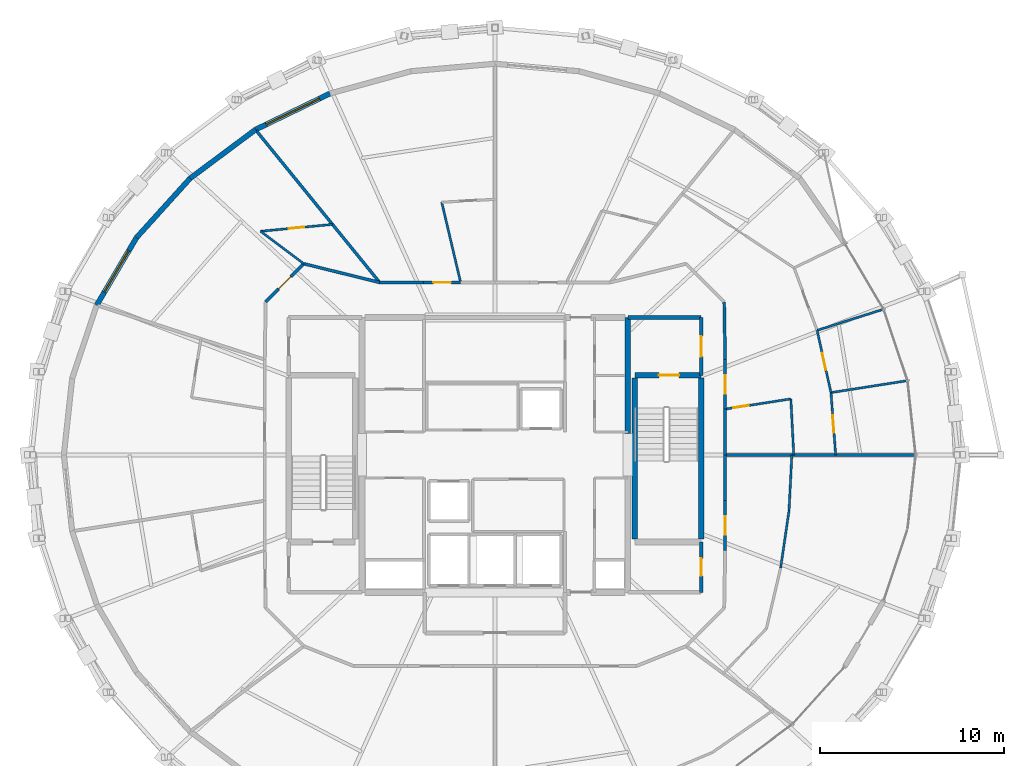
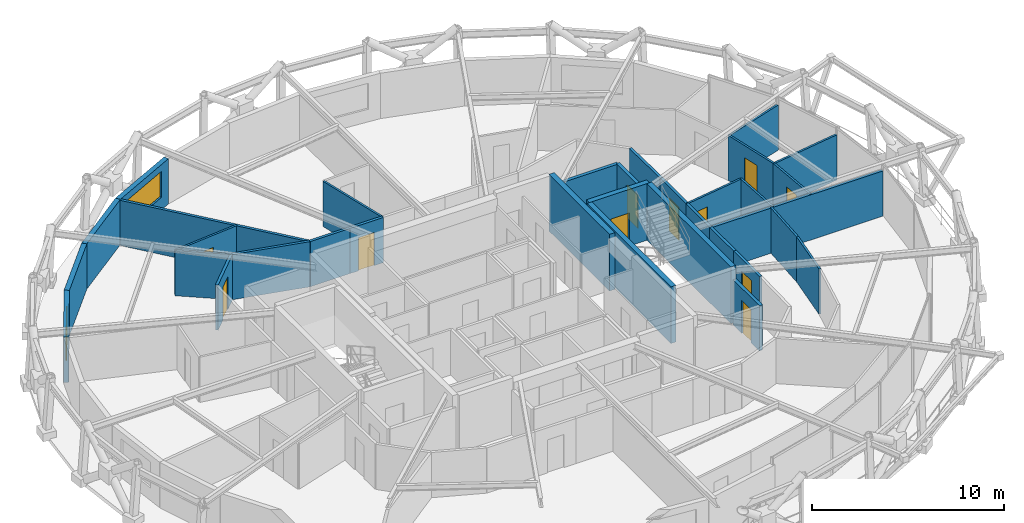
# One storey, part 16 of 18: 33 walls, 11 doors, 2 windows, 13 openings.
"""IFC4 building model written with IfcOpenShell, lengths in metres."""

from ifc_helpers import new_model, si_unit, direction, frame, frame_2d, origin, place, context, subcontext, project, spatial, rectangle, extrude, material, layer, layer_set, type_object, element, fill, save


model = new_model("IFC4")

# Units and contexts
model_context = context("Model", 3, precision=1e-05, world=origin(), true_north=direction((0.0, 1.0)))
body_context = subcontext(model_context, "Body", "Model", "MODEL_VIEW")
ifc_project = project(units=[si_unit("LENGTHUNIT", "METRE"), si_unit("AREAUNIT", "SQUARE_METRE"), si_unit("VOLUMEUNIT", "CUBIC_METRE"), si_unit("PLANEANGLEUNIT", "RADIAN"), si_unit("MASSUNIT", "GRAM", prefix="KILO")], contexts=[model_context])

# Site, building, storey
site_placement = place(None, origin())
site = spatial("IfcSite", under=ifc_project, at=site_placement, CompositionType="ELEMENT")
building_placement = place(site_placement, origin())
building = spatial("IfcBuilding", under=site, at=building_placement, Name="Veldorina Hangang Commons", CompositionType="ELEMENT")
storey_placement = place(building_placement, frame((0.0, 0.0, 218.39990234375)))
storey = spatial("IfcBuildingStorey", under=building, at=storey_placement, Name="L56", CompositionType="ELEMENT", Elevation=218.39990234375)

# Wall
ifc_material_1 = material(Name="Concrete C50/60", Category="concrete")
ifc_layer_1 = layer(ifc_material_1, 0.320068359375)
ifc_layer_set_1 = layer_set([ifc_layer_1], Name="Concrete C50/60")
wall_type_1 = type_object("IfcWallType", Name="CW-RC320-C50", PredefinedType="SHEAR", material=ifc_layer_set_1)
wall_1_placement = place(storey_placement, frame((39.199951171875, 25.14990234375, 0.0), z_axis=(0.0, 0.0, 1.0), x_axis=(0.0, 1.0, 0.0)))
element("IfcWall", 1, at=wall_1_placement, inside=storey, type_object=wall_type_1, Name="L56 E north core shear wall", PredefinedType="SHEAR", context=body_context, shape_type="SweptSolid", body=[
    extrude(rectangle(XDim=6.300048828125, YDim=0.320068359375, at=frame_2d((3.14990234375, 0.0))), origin(), (0.0, 0.0, 1.0), 3.60009765625),
])

# Wall, opening, window
ifc_material_2 = material(Name="Stone Roman Travertine", Category="masonry")
ifc_layer_2 = layer(ifc_material_2, 0.280029296875)
ifc_layer_set_2 = layer_set([ifc_layer_2], Name="Stone Roman Travertine")
wall_type_2 = type_object("IfcWallType", Name="EW-TRAV-280", PredefinedType="STANDARD", material=ifc_layer_set_2)
wall_2_placement = place(storey_placement, frame((23.05712890625, 43.59228515625, 0.0), z_axis=(0.0, 0.0, 1.0), x_axis=(-0.899755886265, -0.436393566785, 0.0)))
wall_2 = element("IfcWall", 2, at=wall_2_placement, inside=storey, type_object=wall_type_2, Name="L56 travertine facade wall 10", PredefinedType="STANDARD", context=body_context, shape_type="SweptSolid", body=[
    extrude(rectangle(XDim=4.490234375, YDim=0.280029296875, at=frame_2d((2.2451171875, 0.0))), origin(), (0.0, 0.0, 1.0), 2.880126953125),
])
opening_1_placement = place(wall_2_placement, frame((0.645263671875, 0.0, 0.800048828125)))
opening_1 = element("IfcOpeningElement", 3, at=opening_1_placement, cuts=wall_2, Name="Opening W-01", PredefinedType="OPENING", context=body_context, shape_type="SweptSolid", body=[
    extrude(rectangle(XDim=3.199951171875, YDim=1.64990234375, at=frame_2d((1.60009765625, 0.824951171875))), frame((0.0, 0.14990234375, 0.0), z_axis=(0.0, -1.0, 0.0), x_axis=(1.0, 0.0, 0.0)), (0.0, 0.0, 1.0), 0.300048828125),
])
ifc_material_3 = material(Name="Glass Low-E Triple IGU", Category="glass")
window_type_1 = type_object("IfcWindowType", Name="WIN-TWR-3200", PartitioningType="SINGLE_PANEL", PredefinedType="WINDOW", material=ifc_material_3)
window_1_placement = place(opening_1_placement, origin())
window_1 = element("IfcWindow", 4, at=window_1_placement, inside=storey, type_object=window_type_1, Name="L56 facade window 10", OverallHeight=1.64990234375, OverallWidth=3.199951171875, PartitioningType="SINGLE_PANEL", PredefinedType="WINDOW", context=body_context, shape_type="SweptSolid", body=[
    extrude(rectangle(XDim=3.199951171875, YDim=1.64990234375, at=frame_2d((1.60009765625, 0.824951171875))), frame((0.0, 0.030029296875, 0.0), z_axis=(0.0, -1.0, 0.0), x_axis=(1.0, 0.0, 0.0)), (0.0, 0.0, 1.0), 0.06005859375),
])
fill(opening_1, window_1)

# Walls
wall_3_placement = place(storey_placement, frame((19.01708984375, 41.6328125, 0.0), z_axis=(0.0, 0.0, 1.0), x_axis=(-0.802005914902, -0.597316090912, 0.0)))
element("IfcWall", 5, at=wall_3_placement, inside=storey, type_object=wall_type_2, Name="L56 travertine facade wall 11", PredefinedType="STANDARD", context=body_context, shape_type="SweptSolid", body=[
    extrude(rectangle(XDim=4.41552734375, YDim=0.280029296875, at=frame_2d((2.207763671875, 0.0))), origin(), (0.0, 0.0, 1.0), 2.880126953125),
])
wall_4_placement = place(storey_placement, frame((15.475830078125, 38.995361328125, 0.0), z_axis=(0.0, 0.0, 1.0), x_axis=(-0.670746586543, -0.741686602711, 0.0)))
element("IfcWall", 6, at=wall_4_placement, inside=storey, type_object=wall_type_2, Name="L56 travertine facade wall 12", PredefinedType="STANDARD", context=body_context, shape_type="SweptSolid", body=[
    extrude(rectangle(XDim=4.332763671875, YDim=0.280029296875, at=frame_2d((2.16650390625, 0.0))), origin(), (0.0, 0.0, 1.0), 2.880126953125),
])

# Wall, opening, window
wall_5_placement = place(storey_placement, frame((12.569580078125, 35.78173828125, 0.0), z_axis=(0.0, 0.0, 1.0), x_axis=(-0.50750901232, -0.861646448617, 0.0)))
wall_5 = element("IfcWall", 7, at=wall_5_placement, inside=storey, type_object=wall_type_2, Name="L56 travertine facade wall 13", PredefinedType="STANDARD", context=body_context, shape_type="SweptSolid", body=[
    extrude(rectangle(XDim=4.2548828125, YDim=0.280029296875, at=frame_2d((2.12744140625, 0.0))), origin(), (0.0, 0.0, 1.0), 2.880126953125),
])
opening_2_placement = place(wall_5_placement, frame((0.827392578125, 0.0, 0.800048828125)))
opening_2 = element("IfcOpeningElement", 8, at=opening_2_placement, cuts=wall_5, Name="Opening W-02", PredefinedType="OPENING", context=body_context, shape_type="SweptSolid", body=[
    extrude(rectangle(XDim=2.60009765625, YDim=1.64990234375, at=frame_2d((1.300048828125, 0.824951171875))), frame((0.0, 0.14990234375, 0.0), z_axis=(0.0, -1.0, 0.0), x_axis=(1.0, 0.0, 0.0)), (0.0, 0.0, 1.0), 0.300048828125),
])
window_type_2 = type_object("IfcWindowType", Name="WIN-TWR-2600", PartitioningType="SINGLE_PANEL", PredefinedType="WINDOW", material=ifc_material_3)
window_2_placement = place(opening_2_placement, origin())
window_2 = element("IfcWindow", 9, at=window_2_placement, inside=storey, type_object=window_type_2, Name="L56 facade window 13", OverallHeight=1.64990234375, OverallWidth=2.60009765625, PartitioningType="SINGLE_PANEL", PredefinedType="WINDOW", context=body_context, shape_type="SweptSolid", body=[
    extrude(rectangle(XDim=2.60009765625, YDim=1.64990234375, at=frame_2d((1.300048828125, 0.824951171875))), frame((0.0, 0.030029296875, 0.0), z_axis=(0.0, -1.0, 0.0), x_axis=(1.0, 0.0, 0.0)), (0.0, 0.0, 1.0), 0.06005859375),
])
fill(opening_2, window_2)

# Walls
ifc_layer_3 = layer(ifc_material_1, 0.300048828125)
ifc_layer_set_3 = layer_set([ifc_layer_3], Name="Concrete C50/60")
wall_type_3 = type_object("IfcWallType", Name="SW-STAIR-300", PredefinedType="SHEAR", material=ifc_layer_set_3)
for number, where, z_axis, x_axis, name in (
    (10, (43.179931640625, 19.429931640625, 0.0), (0.0, 0.0, 1.0), (0.0, 1.0, 0.0), "L56 ST2 outer stair shear wall"),
    (11, (39.580078125, 19.429931640625, 0.0), (0.0, 0.0, 1.0), (0.0, 1.0, 0.0), "L56 ST2 inner stair shear wall"),
):
    element("IfcWall", number, at=place(storey_placement, frame(where, z_axis=z_axis, x_axis=x_axis)), inside=storey, type_object=wall_type_3, Name=name, PredefinedType="SHEAR", context=body_context, shape_type="SweptSolid", body=[
        extrude(rectangle(XDim=8.739990234375, YDim=0.300048828125, at=frame_2d((4.3701171875, 0.0))), origin(), (0.0, 0.0, 1.0), 3.60009765625),
    ])

# Wall, opening, door
wall_6_placement = place(storey_placement, frame((39.580078125, 28.320068359375, 0.0), z_axis=(0.0, 0.0, 1.0), x_axis=(1.0, 0.0, 0.0)))
wall_6 = element("IfcWall", 12, at=wall_6_placement, inside=storey, type_object=wall_type_3, Name="L56 ST2 north stair shear wall", PredefinedType="SHEAR", context=body_context, shape_type="SweptSolid", body=[
    extrude(rectangle(XDim=3.599853515625, YDim=0.300048828125, at=frame_2d((1.7998046875, 0.0))), origin(), (0.0, 0.0, 1.0), 3.60009765625),
])
opening_3_placement = place(wall_6_placement, frame((1.300048828125, 0.0, 0.0)))
opening_3 = element("IfcOpeningElement", 13, at=opening_3_placement, cuts=wall_6, Name="Opening D-08", PredefinedType="OPENING", context=body_context, shape_type="SweptSolid", body=[
    extrude(rectangle(XDim=1.10009765625, YDim=2.10009765625, at=frame_2d((0.550048828125, 1.050048828125))), frame((0.0, 0.16015625, 0.0), z_axis=(0.0, -1.0, 0.0), x_axis=(1.0, 0.0, 0.0)), (0.0, 0.0, 1.0), 0.320068359375),
])
ifc_material_4 = material(Name="Steel Fire-Rated Smoke Seal", Category="steel")
door_type_1 = type_object("IfcDoorType", Name="DR-FIRE-1100", OperationType="SINGLE_SWING_RIGHT", PredefinedType="DOOR", material=ifc_material_4)
door_1_placement = place(opening_3_placement, origin())
door_1 = element("IfcDoor", 14, at=door_1_placement, inside=storey, type_object=door_type_1, Name="L56 Special Escape Stair ST-2 door", OperationType="SINGLE_SWING_RIGHT", OverallHeight=2.10009765625, OverallWidth=1.10009765625, PredefinedType="DOOR", context=body_context, shape_type="SweptSolid", body=[
    extrude(rectangle(XDim=1.10009765625, YDim=2.10009765625, at=frame_2d((0.550048828125, 1.050048828125))), frame((0.0, 0.02490234375, 0.0), z_axis=(0.0, -1.0, 0.0), x_axis=(1.0, 0.0, 0.0)), (0.0, 0.0, 1.0), 0.050048828125),
])
fill(opening_3, door_1)

# Wall
ifc_material_5 = material(Name="Gypsum Fire-Rated Twin Stud Wall", Category="gypsum")
ifc_layer_4 = layer(ifc_material_5, 0.159912109375)
ifc_layer_set_4 = layer_set([ifc_layer_4], Name="Gypsum Fire-Rated Twin Stud Wall")
wall_type_4 = type_object("IfcWallType", Name="WL-FIRE-160", PredefinedType="SOLIDWALL", material=ifc_layer_set_4)
wall_7_placement = place(storey_placement, frame((44.47998046875, 24.0, 0.0), z_axis=(0.0, 0.0, 1.0), x_axis=(0.0, 1.0, 0.0)))
element("IfcWall", 15, at=wall_7_placement, inside=storey, type_object=wall_type_4, Name="L56 Compact collar outer wall 00 052", PredefinedType="SOLIDWALL", context=body_context, shape_type="SweptSolid", body=[
    extrude(rectangle(XDim=2.482421875, YDim=0.159912109375, at=frame_2d((1.2412109375, 0.0))), origin(), (0.0, 0.0, 1.0), 2.8701171875),
])

# Wall, opening, door
wall_8_placement = place(storey_placement, frame((44.47998046875, 26.482421875, 0.0), z_axis=(0.0, 0.0, 1.0), x_axis=(0.0, 1.0, 0.0)))
wall_8 = element("IfcWall", 16, at=wall_8_placement, inside=storey, type_object=wall_type_4, Name="L56 Compact collar outer wall 01 053", PredefinedType="SOLIDWALL", context=body_context, shape_type="SweptSolid", body=[
    extrude(rectangle(XDim=2.68701171875, YDim=0.159912109375, at=frame_2d((1.343505859375, 0.0))), origin(), (0.0, 0.0, 1.0), 2.8701171875),
])
opening_4_placement = place(wall_8_placement, frame((0.843505859375, 0.0, 0.0)))
opening_4 = element("IfcOpeningElement", 17, at=opening_4_placement, cuts=wall_8, Name="Opening D-06", PredefinedType="OPENING", context=body_context, shape_type="SweptSolid", body=[
    extrude(rectangle(XDim=1.0, YDim=2.10009765625, at=frame_2d((0.5, 1.050048828125))), frame((0.0, 0.08984375, 0.0), z_axis=(0.0, -1.0, 0.0), x_axis=(1.0, 0.0, 0.0)), (0.0, 0.0, 1.0), 0.179931640625),
])
ifc_material_6 = material(Name="Timber Fire-Rated Entrance Core", Category="wood")
door_type_2 = type_object("IfcDoorType", Name="DR-UNIT-1000", OperationType="SINGLE_SWING_LEFT", PredefinedType="DOOR", material=ifc_material_6)
door_2_placement = place(opening_4_placement, origin())
door_2 = element("IfcDoor", 18, at=door_2_placement, inside=storey, type_object=door_type_2, Name="L56 Cluster 2 entrance door 023", OperationType="SINGLE_SWING_LEFT", OverallHeight=2.10009765625, OverallWidth=1.0, PredefinedType="DOOR", context=body_context, shape_type="SweptSolid", body=[
    extrude(rectangle(XDim=1.0, YDim=2.10009765625, at=frame_2d((0.5, 1.050048828125))), frame((0.0, 0.02490234375, 0.0), z_axis=(0.0, -1.0, 0.0), x_axis=(1.0, 0.0, 0.0)), (0.0, 0.0, 1.0), 0.050048828125),
])
fill(opening_4, door_2)

# Wall
wall_9_placement = place(storey_placement, frame((44.47998046875, 29.16943359375, 0.0), z_axis=(0.0, 0.0, 1.0), x_axis=(-0.016981035134, 0.999855811828, 0.0)))
element("IfcWall", 19, at=wall_9_placement, inside=storey, type_object=wall_type_4, Name="L56 Compact collar outer wall 02 054", PredefinedType="SOLIDWALL", context=body_context, shape_type="SweptSolid", body=[
    extrude(rectangle(XDim=3.13427734375, YDim=0.159912109375, at=frame_2d((1.567138671875, 0.0))), origin(), (0.0, 0.0, 1.0), 2.8701171875),
])

# Wall, opening, door
wall_10_placement = place(storey_placement, frame((30.14013671875, 33.35009765625, 0.0), z_axis=(0.0, 0.0, 1.0), x_axis=(-1.0, 0.0, 0.0)))
wall_10 = element("IfcWall", 20, at=wall_10_placement, inside=storey, type_object=wall_type_4, Name="L56 Compact collar outer wall 09 061", PredefinedType="SOLIDWALL", context=body_context, shape_type="SweptSolid", body=[
    extrude(rectangle(XDim=2.012939453125, YDim=0.159912109375, at=frame_2d((1.00634765625, 0.0))), origin(), (0.0, 0.0, 1.0), 2.8701171875),
])
opening_5_placement = place(wall_10_placement, frame((0.531494140625, 0.0, 0.0)))
opening_5 = element("IfcOpeningElement", 21, at=opening_5_placement, cuts=wall_10, Name="Opening D-03", PredefinedType="OPENING", context=body_context, shape_type="SweptSolid", body=[
    extrude(rectangle(XDim=0.949951171875, YDim=2.10009765625, at=frame_2d((0.47509765625, 1.050048828125))), frame((0.0, 0.08984375, 0.0), z_axis=(0.0, -1.0, 0.0), x_axis=(1.0, 0.0, 0.0)), (0.0, 0.0, 1.0), 0.179931640625),
])
door_type_3 = type_object("IfcDoorType", Name="DR-UNIT-950", OperationType="SINGLE_SWING_RIGHT", PredefinedType="DOOR", material=ifc_material_6)
door_3_placement = place(opening_5_placement, origin())
door_3 = element("IfcDoor", 22, at=door_3_placement, inside=storey, type_object=door_type_3, Name="L56 Studio 4 entrance door 031", OperationType="SINGLE_SWING_LEFT", OverallHeight=2.10009765625, OverallWidth=0.949951171875, PredefinedType="DOOR", context=body_context, shape_type="SweptSolid", body=[
    extrude(rectangle(XDim=0.949951171875, YDim=2.10009765625, at=frame_2d((0.47509765625, 1.050048828125))), frame((0.0, 0.02490234375, 0.0), z_axis=(0.0, -1.0, 0.0), x_axis=(1.0, 0.0, 0.0)), (0.0, 0.0, 1.0), 0.050048828125),
])
fill(opening_5, door_3)

# Walls
wall_11_placement = place(storey_placement, frame((28.127197265625, 33.35009765625, 0.0), z_axis=(0.0, 0.0, 1.0), x_axis=(-1.0, 0.0, 0.0)))
element("IfcWall", 23, at=wall_11_placement, inside=storey, type_object=wall_type_4, Name="L56 Compact collar outer wall 10 062", PredefinedType="SOLIDWALL", context=body_context, shape_type="SweptSolid", body=[
    extrude(rectangle(XDim=2.374755859375, YDim=0.159912109375, at=frame_2d((1.1875, 0.0))), origin(), (0.0, 0.0, 1.0), 2.8701171875),
])
wall_12_placement = place(storey_placement, frame((25.75244140625, 33.35009765625, 0.0), z_axis=(0.0, 0.0, 1.0), x_axis=(-0.970939799552, 0.239323850978, 0.0)))
element("IfcWall", 24, at=wall_12_placement, inside=storey, type_object=wall_type_4, Name="L56 Compact collar outer wall 11 063", PredefinedType="SOLIDWALL", context=body_context, shape_type="SweptSolid", body=[
    extrude(rectangle(XDim=4.24072265625, YDim=0.159912109375, at=frame_2d((2.120361328125, 0.0))), origin(), (0.0, 0.0, 1.0), 2.8701171875),
])

# Wall, opening, door
wall_13_placement = place(storey_placement, frame((21.635009765625, 34.364990234375, 0.0), z_axis=(0.0, 0.0, 1.0), x_axis=(-0.707106781187, -0.707106781187, 0.0)))
wall_13 = element("IfcWall", 25, at=wall_13_placement, inside=storey, type_object=wall_type_4, Name="L56 Compact collar outer wall 12 064", PredefinedType="SOLIDWALL", context=body_context, shape_type="SweptSolid", body=[
    extrude(rectangle(XDim=2.915771484375, YDim=0.159912109375, at=frame_2d((1.4580078125, 0.0))), origin(), (0.0, 0.0, 1.0), 2.8701171875),
])
opening_6_placement = place(wall_13_placement, frame((0.98291015625, 0.0, 0.0)))
opening_6 = element("IfcOpeningElement", 26, at=opening_6_placement, cuts=wall_13, Name="Opening D-03", PredefinedType="OPENING", context=body_context, shape_type="SweptSolid", body=[
    extrude(rectangle(XDim=0.949951171875, YDim=2.10009765625, at=frame_2d((0.47509765625, 1.050048828125))), frame((0.0, 0.08984375, 0.0), z_axis=(0.0, -1.0, 0.0), x_axis=(1.0, 0.0, 0.0)), (0.0, 0.0, 1.0), 0.179931640625),
])
door_4_placement = place(opening_6_placement, origin())
door_4 = element("IfcDoor", 27, at=door_4_placement, inside=storey, type_object=door_type_3, Name="L56 Studio 5 entrance door 033", OperationType="SINGLE_SWING_LEFT", OverallHeight=2.10009765625, OverallWidth=0.949951171875, PredefinedType="DOOR", context=body_context, shape_type="SweptSolid", body=[
    extrude(rectangle(XDim=0.949951171875, YDim=2.10009765625, at=frame_2d((0.47509765625, 1.050048828125))), frame((0.0, 0.02490234375, 0.0), z_axis=(0.0, -1.0, 0.0), x_axis=(1.0, 0.0, 0.0)), (0.0, 0.0, 1.0), 0.050048828125),
])
fill(opening_6, door_4)

wall_14_placement = place(storey_placement, frame((44.47998046875, 18.83056640625, 0.0), z_axis=(0.0, 0.0, 1.0), x_axis=(0.0, 1.0, 0.0)))
wall_14 = element("IfcWall", 28, at=wall_14_placement, inside=storey, type_object=wall_type_4, Name="L56 Compact collar outer wall 30 082", PredefinedType="SOLIDWALL", context=body_context, shape_type="SweptSolid", body=[
    extrude(rectangle(XDim=2.68701171875, YDim=0.159912109375, at=frame_2d((1.343505859375, 0.0))), origin(), (0.0, 0.0, 1.0), 2.8701171875),
])
opening_7_placement = place(wall_14_placement, frame((0.843505859375, 0.0, 0.0)))
opening_7 = element("IfcOpeningElement", 29, at=opening_7_placement, cuts=wall_14, Name="Opening D-05", PredefinedType="OPENING", context=body_context, shape_type="SweptSolid", body=[
    extrude(rectangle(XDim=1.0, YDim=2.10009765625, at=frame_2d((0.5, 1.050048828125))), frame((0.0, 0.08984375, 0.0), z_axis=(0.0, -1.0, 0.0), x_axis=(1.0, 0.0, 0.0)), (0.0, 0.0, 1.0), 0.179931640625),
])
ifc_material_7 = material(Name="Timber Solid Core Acoustic", Category="wood")
door_type_4 = type_object("IfcDoorType", Name="DR-INT-1000", OperationType="SINGLE_SWING_RIGHT", PredefinedType="DOOR", material=ifc_material_7)
door_5_placement = place(opening_7_placement, origin())
door_5 = element("IfcDoor", 30, at=door_5_placement, inside=storey, type_object=door_type_4, Name="L56 Commons alcove door 020", OperationType="SINGLE_SWING_RIGHT", OverallHeight=2.10009765625, OverallWidth=1.0, PredefinedType="DOOR", context=body_context, shape_type="SweptSolid", body=[
    extrude(rectangle(XDim=1.0, YDim=2.10009765625, at=frame_2d((0.5, 1.050048828125))), frame((0.0, 0.02490234375, 0.0), z_axis=(0.0, -1.0, 0.0), x_axis=(1.0, 0.0, 0.0)), (0.0, 0.0, 1.0), 0.050048828125),
])
fill(opening_7, door_5)

# Walls
wall_15_placement = place(storey_placement, frame((44.47998046875, 21.517578125, 0.0), z_axis=(0.0, 0.0, 1.0), x_axis=(0.0, 1.0, 0.0)))
element("IfcWall", 31, at=wall_15_placement, inside=storey, type_object=wall_type_4, Name="L56 Compact collar outer wall 31 083", PredefinedType="SOLIDWALL", context=body_context, shape_type="SweptSolid", body=[
    extrude(rectangle(XDim=2.482421875, YDim=0.159912109375, at=frame_2d((1.2412109375, 0.0))), origin(), (0.0, 0.0, 1.0), 2.8701171875),
])
wall_16_placement = place(storey_placement, frame((44.47998046875, 24.0, 0.0), z_axis=(0.0, 0.0, 1.0), x_axis=(1.0, 0.0, 0.0)))
element("IfcWall", 32, at=wall_16_placement, inside=storey, type_object=wall_type_4, Name="L56 Unit party wall 00 089", PredefinedType="SOLIDWALL", context=body_context, shape_type="SweptSolid", body=[
    extrude(rectangle(XDim=10.27880859375, YDim=0.159912109375, at=frame_2d((5.139404296875, 0.0))), origin(), (0.0, 0.0, 1.0), 2.8701171875),
])
wall_17_placement = place(storey_placement, frame((25.75244140625, 33.35009765625, 0.0), z_axis=(0.0, 0.0, 1.0), x_axis=(-0.630915216518, 0.775851783246, 0.0)))
element("IfcWall", 33, at=wall_17_placement, inside=storey, type_object=wall_type_4, Name="L56 Unit party wall 11 105", PredefinedType="SOLIDWALL", context=body_context, shape_type="SweptSolid", body=[
    extrude(rectangle(XDim=10.62548828125, YDim=0.159912109375, at=frame_2d((5.312744140625, 0.0))), origin(), (0.0, 0.0, 1.0), 2.8701171875),
])

# Wall, opening, door
ifc_material_8 = material(Name="Concrete Blockwork Fire Wall C30/37", Category="masonry")
ifc_layer_5 = layer(ifc_material_8, 0.199951171875)
ifc_layer_set_5 = layer_set([ifc_layer_5], Name="Concrete Blockwork Fire Wall C30/37")
wall_type_5 = type_object("IfcWallType", Name="WL-FIRE-200", PredefinedType="SOLIDWALL", material=ifc_layer_set_5)
wall_18_placement = place(storey_placement, frame((43.179931640625, 28.320068359375, 0.0), z_axis=(0.0, 0.0, 1.0), x_axis=(0.0, 1.0, 0.0)))
wall_18 = element("IfcWall", 34, at=wall_18_placement, inside=storey, type_object=wall_type_5, Name="L56 East vestibule outer wall 003", PredefinedType="SOLIDWALL", context=body_context, shape_type="SweptSolid", body=[
    extrude(rectangle(XDim=3.1298828125, YDim=0.199951171875, at=frame_2d((1.56494140625, 0.0))), origin(), (0.0, 0.0, 1.0), 2.8701171875),
])
opening_8_placement = place(wall_18_placement, frame((1.014892578125, 0.0, 0.0)))
opening_8 = element("IfcOpeningElement", 35, at=opening_8_placement, cuts=wall_18, Name="Opening D-08", PredefinedType="OPENING", context=body_context, shape_type="SweptSolid", body=[
    extrude(rectangle(XDim=1.10009765625, YDim=2.10009765625, at=frame_2d((0.550048828125, 1.050048828125))), frame((0.0, 0.10986328125, 0.0), z_axis=(0.0, -1.0, 0.0), x_axis=(1.0, 0.0, 0.0)), (0.0, 0.0, 1.0), 0.219970703125),
])
door_6_placement = place(opening_8_placement, origin())
door_6 = element("IfcDoor", 36, at=door_6_placement, inside=storey, type_object=door_type_1, Name="L56 East vestibule east door 002", OperationType="SINGLE_SWING_RIGHT", OverallHeight=2.10009765625, OverallWidth=1.10009765625, PredefinedType="DOOR", context=body_context, shape_type="SweptSolid", body=[
    extrude(rectangle(XDim=1.10009765625, YDim=2.10009765625, at=frame_2d((0.550048828125, 1.050048828125))), frame((0.0, 0.02490234375, 0.0), z_axis=(0.0, -1.0, 0.0), x_axis=(1.0, 0.0, 0.0)), (0.0, 0.0, 1.0), 0.050048828125),
])
fill(opening_8, door_6)

# Wall
wall_19_placement = place(storey_placement, frame((39.199951171875, 31.449951171875, 0.0), z_axis=(0.0, 0.0, 1.0), x_axis=(1.0, 0.0, 0.0)))
element("IfcWall", 37, at=wall_19_placement, inside=storey, type_object=wall_type_5, Name="L56 East vestibule north wall 004", PredefinedType="SOLIDWALL", context=body_context, shape_type="SweptSolid", body=[
    extrude(rectangle(XDim=3.97998046875, YDim=0.199951171875, at=frame_2d((1.989990234375, 0.0))), origin(), (0.0, 0.0, 1.0), 2.8701171875),
])

# Wall, opening, door
wall_20_placement = place(storey_placement, frame((43.179931640625, 16.550048828125, 0.0), z_axis=(0.0, 0.0, 1.0), x_axis=(0.0, 1.0, 0.0)))
wall_20 = element("IfcWall", 38, at=wall_20_placement, inside=storey, type_object=wall_type_5, Name="L56 SE core room outer wall 007", PredefinedType="SOLIDWALL", context=body_context, shape_type="SweptSolid", body=[
    extrude(rectangle(XDim=2.72998046875, YDim=0.199951171875, at=frame_2d((1.364990234375, 0.0))), origin(), (0.0, 0.0, 1.0), 2.8701171875),
])
opening_9_placement = place(wall_20_placement, frame((0.889892578125, 0.0, 0.0)))
opening_9 = element("IfcOpeningElement", 39, at=opening_9_placement, cuts=wall_20, Name="Opening D-02", PredefinedType="OPENING", context=body_context, shape_type="SweptSolid", body=[
    extrude(rectangle(XDim=0.949951171875, YDim=2.10009765625, at=frame_2d((0.47509765625, 1.050048828125))), frame((0.0, 0.10986328125, 0.0), z_axis=(0.0, -1.0, 0.0), x_axis=(1.0, 0.0, 0.0)), (0.0, 0.0, 1.0), 0.219970703125),
])
door_type_5 = type_object("IfcDoorType", Name="DR-INT-950", OperationType="SINGLE_SWING_LEFT", PredefinedType="DOOR", material=ifc_material_7)
door_7_placement = place(opening_9_placement, origin())
door_7 = element("IfcDoor", 40, at=door_7_placement, inside=storey, type_object=door_type_5, Name="L56 SE core WC door 004", OperationType="SINGLE_SWING_RIGHT", OverallHeight=2.10009765625, OverallWidth=0.949951171875, PredefinedType="DOOR", context=body_context, shape_type="SweptSolid", body=[
    extrude(rectangle(XDim=0.949951171875, YDim=2.10009765625, at=frame_2d((0.47509765625, 1.050048828125))), frame((0.0, 0.02490234375, 0.0), z_axis=(0.0, -1.0, 0.0), x_axis=(1.0, 0.0, 0.0)), (0.0, 0.0, 1.0), 0.050048828125),
])
fill(opening_9, door_7)

# Walls
ifc_material_9 = material(Name="Gypsum Acoustic Stud Partition", Category="gypsum")
ifc_layer_6 = layer(ifc_material_9, 0.1201171875)
ifc_layer_set_6 = layer_set([ifc_layer_6], Name="Gypsum Acoustic Stud Partition")
wall_type_6 = type_object("IfcWallType", Name="WL-PART-120", PredefinedType="PARTITIONING", material=ifc_layer_set_6)
wall_21_placement = place(storey_placement, frame((47.4873046875, 17.87451171875, 0.0), z_axis=(0.0, 0.0, 1.0), x_axis=(0.144920046389, 0.989443368847, 0.0)))
element("IfcWall", 41, at=wall_21_placement, inside=storey, type_object=wall_type_6, Name="L56 Lounge alcove split 2 087", PredefinedType="PARTITIONING", context=body_context, shape_type="SweptSolid", body=[
    extrude(rectangle(XDim=3.13525390625, YDim=0.1201171875, at=frame_2d((1.567626953125, 0.0))), origin(), (0.0, 0.0, 1.0), 2.8701171875),
])
wall_22_placement = place(storey_placement, frame((47.941650390625, 20.9765625, 0.0), z_axis=(0.0, 0.0, 1.0), x_axis=(0.050645517022, 0.998716692364, 0.0)))
element("IfcWall", 42, at=wall_22_placement, inside=storey, type_object=wall_type_6, Name="L56 Lounge alcove split 3 088", PredefinedType="PARTITIONING", context=body_context, shape_type="SweptSolid", body=[
    extrude(rectangle(XDim=3.02734375, YDim=0.1201171875, at=frame_2d((1.513671875, 0.0))), origin(), (0.0, 0.0, 1.0), 2.8701171875),
])
wall_23_placement = place(storey_placement, frame((48.1982421875, 24.0, 0.0), z_axis=(0.0, 0.0, 1.0), x_axis=(-0.051830297727, 0.998655906826, 0.0)))
element("IfcWall", 43, at=wall_23_placement, inside=storey, type_object=wall_type_6, Name="L56 Cluster 2 bath front wall 090", PredefinedType="PARTITIONING", context=body_context, shape_type="SweptSolid", body=[
    extrude(rectangle(XDim=3.04296875, YDim=0.1201171875, at=frame_2d((1.521484375, 0.0))), origin(), (0.0, 0.0, 1.0), 2.8701171875),
])

# Wall, opening, door
wall_24_placement = place(storey_placement, frame((44.47998046875, 26.482421875, 0.0), z_axis=(0.0, 0.0, 1.0), x_axis=(0.988009450348, 0.154393413147, 0.0)))
wall_24 = element("IfcWall", 44, at=wall_24_placement, inside=storey, type_object=wall_type_6, Name="L56 Cluster 2 bath side wall 091", PredefinedType="PARTITIONING", context=body_context, shape_type="SweptSolid", body=[
    extrude(rectangle(XDim=3.603759765625, YDim=0.1201171875, at=frame_2d((1.8017578125, 0.0))), origin(), (0.0, 0.0, 1.0), 2.8701171875),
])
opening_10_placement = place(wall_24_placement, frame((0.43994140625, 0.0, 0.0)))
opening_10 = element("IfcOpeningElement", 45, at=opening_10_placement, cuts=wall_24, Name="Opening D-01", PredefinedType="OPENING", context=body_context, shape_type="SweptSolid", body=[
    extrude(rectangle(XDim=0.860107421875, YDim=2.10009765625, at=frame_2d((0.43017578125, 1.050048828125))), frame((0.0, 0.070068359375, 0.0), z_axis=(0.0, -1.0, 0.0), x_axis=(1.0, 0.0, 0.0)), (0.0, 0.0, 1.0), 0.14013671875),
])
ifc_material_10 = material(Name="Timber Moisture-Resistant Core", Category="wood")
door_type_6 = type_object("IfcDoorType", Name="DR-WET-860", OperationType="SINGLE_SWING_LEFT", PredefinedType="DOOR", material=ifc_material_10)
door_8_placement = place(opening_10_placement, origin())
door_8 = element("IfcDoor", 46, at=door_8_placement, inside=storey, type_object=door_type_6, Name="L56 Cluster 2 shared bathroom door 022", OperationType="SINGLE_SWING_RIGHT", OverallHeight=2.10009765625, OverallWidth=0.860107421875, PredefinedType="DOOR", context=body_context, shape_type="SweptSolid", body=[
    extrude(rectangle(XDim=0.860107421875, YDim=2.10009765625, at=frame_2d((0.43017578125, 1.050048828125))), frame((0.0, 0.02490234375, 0.0), z_axis=(0.0, -1.0, 0.0), x_axis=(1.0, 0.0, 0.0)), (0.0, 0.0, 1.0), 0.050048828125),
])
fill(opening_10, door_8)

wall_25_placement = place(storey_placement, frame((50.470703125, 24.0, 0.0), z_axis=(0.0, 0.0, 1.0), x_axis=(-0.075076534755, 0.997177774486, 0.0)))
wall_25 = element("IfcWall", 47, at=wall_25_placement, inside=storey, type_object=wall_type_6, Name="L56 Cluster 2 bed 1 front wall 092", PredefinedType="PARTITIONING", context=body_context, shape_type="SweptSolid", body=[
    extrude(rectangle(XDim=3.388427734375, YDim=0.1201171875, at=frame_2d((1.6943359375, 0.0))), origin(), (0.0, 0.0, 1.0), 2.8701171875),
])
opening_11_placement = place(wall_25_placement, frame((1.218994140625, 0.0, 0.0)))
opening_11 = element("IfcOpeningElement", 48, at=opening_11_placement, cuts=wall_25, Name="Opening D-02", PredefinedType="OPENING", context=body_context, shape_type="SweptSolid", body=[
    extrude(rectangle(XDim=0.949951171875, YDim=2.10009765625, at=frame_2d((0.47509765625, 1.050048828125))), frame((0.0, 0.070068359375, 0.0), z_axis=(0.0, -1.0, 0.0), x_axis=(1.0, 0.0, 0.0)), (0.0, 0.0, 1.0), 0.14013671875),
])
door_9_placement = place(opening_11_placement, origin())
door_9 = element("IfcDoor", 49, at=door_9_placement, inside=storey, type_object=door_type_5, Name="L56 Cluster 2 bed 1 door 024", OperationType="SINGLE_SWING_RIGHT", OverallHeight=2.10009765625, OverallWidth=0.949951171875, PredefinedType="DOOR", context=body_context, shape_type="SweptSolid", body=[
    extrude(rectangle(XDim=0.949951171875, YDim=2.10009765625, at=frame_2d((0.47509765625, 1.050048828125))), frame((0.0, 0.02490234375, 0.0), z_axis=(0.0, -1.0, 0.0), x_axis=(1.0, 0.0, 0.0)), (0.0, 0.0, 1.0), 0.050048828125),
])
fill(opening_11, door_9)

wall_26_placement = place(storey_placement, frame((50.21630859375, 27.37890625, 0.0), z_axis=(0.0, 0.0, 1.0), x_axis=(-0.217670485925, 0.976022315092, 0.0)))
wall_26 = element("IfcWall", 50, at=wall_26_placement, inside=storey, type_object=wall_type_6, Name="L56 Cluster 2 bed 2 front wall 093", PredefinedType="PARTITIONING", context=body_context, shape_type="SweptSolid", body=[
    extrude(rectangle(XDim=3.4580078125, YDim=0.1201171875, at=frame_2d((1.72900390625, 0.0))), origin(), (0.0, 0.0, 1.0), 2.8701171875),
])
opening_12_placement = place(wall_26_placement, frame((1.25390625, 0.0, 0.0)))
opening_12 = element("IfcOpeningElement", 51, at=opening_12_placement, cuts=wall_26, Name="Opening D-02", PredefinedType="OPENING", context=body_context, shape_type="SweptSolid", body=[
    extrude(rectangle(XDim=0.949951171875, YDim=2.10009765625, at=frame_2d((0.47509765625, 1.050048828125))), frame((0.0, 0.070068359375, 0.0), z_axis=(0.0, -1.0, 0.0), x_axis=(1.0, 0.0, 0.0)), (0.0, 0.0, 1.0), 0.14013671875),
])
door_10_placement = place(opening_12_placement, origin())
door_10 = element("IfcDoor", 52, at=door_10_placement, inside=storey, type_object=door_type_5, Name="L56 Cluster 2 bed 2 door 025", OperationType="SINGLE_SWING_LEFT", OverallHeight=2.10009765625, OverallWidth=0.949951171875, PredefinedType="DOOR", context=body_context, shape_type="SweptSolid", body=[
    extrude(rectangle(XDim=0.949951171875, YDim=2.10009765625, at=frame_2d((0.47509765625, 1.050048828125))), frame((0.0, 0.02490234375, 0.0), z_axis=(0.0, -1.0, 0.0), x_axis=(1.0, 0.0, 0.0)), (0.0, 0.0, 1.0), 0.050048828125),
])
fill(opening_12, door_10)

# Walls
wall_27_placement = place(storey_placement, frame((50.21630859375, 27.37890625, 0.0), z_axis=(0.0, 0.0, 1.0), x_axis=(0.988012313849, 0.154375087639, 0.0)))
element("IfcWall", 53, at=wall_27_placement, inside=storey, type_object=wall_type_6, Name="L56 Cluster 2 bed divider 1 094", PredefinedType="PARTITIONING", context=body_context, shape_type="SweptSolid", body=[
    extrude(rectangle(XDim=4.154541015625, YDim=0.1201171875, at=frame_2d((2.0771484375, 0.0))), origin(), (0.0, 0.0, 1.0), 2.8701171875),
])
wall_28_placement = place(storey_placement, frame((49.463623046875, 30.75390625, 0.0), z_axis=(0.0, 0.0, 1.0), x_axis=(0.953007258162, 0.302947463913, 0.0)))
element("IfcWall", 54, at=wall_28_placement, inside=storey, type_object=wall_type_6, Name="L56 Cluster 2 bed divider 2 096", PredefinedType="PARTITIONING", context=body_context, shape_type="SweptSolid", body=[
    extrude(rectangle(XDim=3.73681640625, YDim=0.1201171875, at=frame_2d((1.868408203125, 0.0))), origin(), (0.0, 0.0, 1.0), 2.8701171875),
])
wall_29_placement = place(storey_placement, frame((30.14013671875, 33.35009765625, 0.0), z_axis=(0.0, 0.0, 1.0), x_axis=(-0.229456390551, 0.973318943017, 0.0)))
element("IfcWall", 55, at=wall_29_placement, inside=storey, type_object=wall_type_6, Name="L56 Studio 4 bath side wall 104", PredefinedType="PARTITIONING", context=body_context, shape_type="SweptSolid", body=[
    extrude(rectangle(XDim=4.4697265625, YDim=0.1201171875, at=frame_2d((2.23486328125, 0.0))), origin(), (0.0, 0.0, 1.0), 2.8701171875),
])

# Wall, opening, door
wall_30_placement = place(storey_placement, frame((23.193115234375, 36.497314453125, 0.0), z_axis=(0.0, 0.0, 1.0), x_axis=(-0.995459258823, -0.09518857087, 0.0)))
wall_30 = element("IfcWall", 56, at=wall_30_placement, inside=storey, type_object=wall_type_6, Name="L56 Studio 5 bath front wall 106", PredefinedType="PARTITIONING", context=body_context, shape_type="SweptSolid", body=[
    extrude(rectangle(XDim=3.91650390625, YDim=0.1201171875, at=frame_2d((1.958251953125, 0.0))), origin(), (0.0, 0.0, 1.0), 2.8701171875),
])
opening_13_placement = place(wall_30_placement, frame((1.5283203125, 0.0, 0.0)))
opening_13 = element("IfcOpeningElement", 57, at=opening_13_placement, cuts=wall_30, Name="Opening D-01", PredefinedType="OPENING", context=body_context, shape_type="SweptSolid", body=[
    extrude(rectangle(XDim=0.860107421875, YDim=2.10009765625, at=frame_2d((0.43017578125, 1.050048828125))), frame((0.0, 0.070068359375, 0.0), z_axis=(0.0, -1.0, 0.0), x_axis=(1.0, 0.0, 0.0)), (0.0, 0.0, 1.0), 0.14013671875),
])
door_11_placement = place(opening_13_placement, origin())
door_11 = element("IfcDoor", 58, at=door_11_placement, inside=storey, type_object=door_type_6, Name="L56 Studio 5 bathroom door 032", OperationType="SINGLE_SWING_RIGHT", OverallHeight=2.10009765625, OverallWidth=0.860107421875, PredefinedType="DOOR", context=body_context, shape_type="SweptSolid", body=[
    extrude(rectangle(XDim=0.860107421875, YDim=2.10009765625, at=frame_2d((0.43017578125, 1.050048828125))), frame((0.0, 0.02490234375, 0.0), z_axis=(0.0, -1.0, 0.0), x_axis=(1.0, 0.0, 0.0)), (0.0, 0.0, 1.0), 0.050048828125),
])
fill(opening_13, door_11)

# Wall
wall_31_placement = place(storey_placement, frame((21.635009765625, 34.364990234375, 0.0), z_axis=(0.0, 0.0, 1.0), x_axis=(-0.79932915478, 0.6008934201, 0.0)))
element("IfcWall", 59, at=wall_31_placement, inside=storey, type_object=wall_type_6, Name="L56 Studio 5 bath side wall 107", PredefinedType="PARTITIONING", context=body_context, shape_type="SweptSolid", body=[
    extrude(rectangle(XDim=2.92822265625, YDim=0.1201171875, at=frame_2d((1.464111328125, 0.0))), origin(), (0.0, 0.0, 1.0), 2.8701171875),
])

save(model, "model.ifc")
